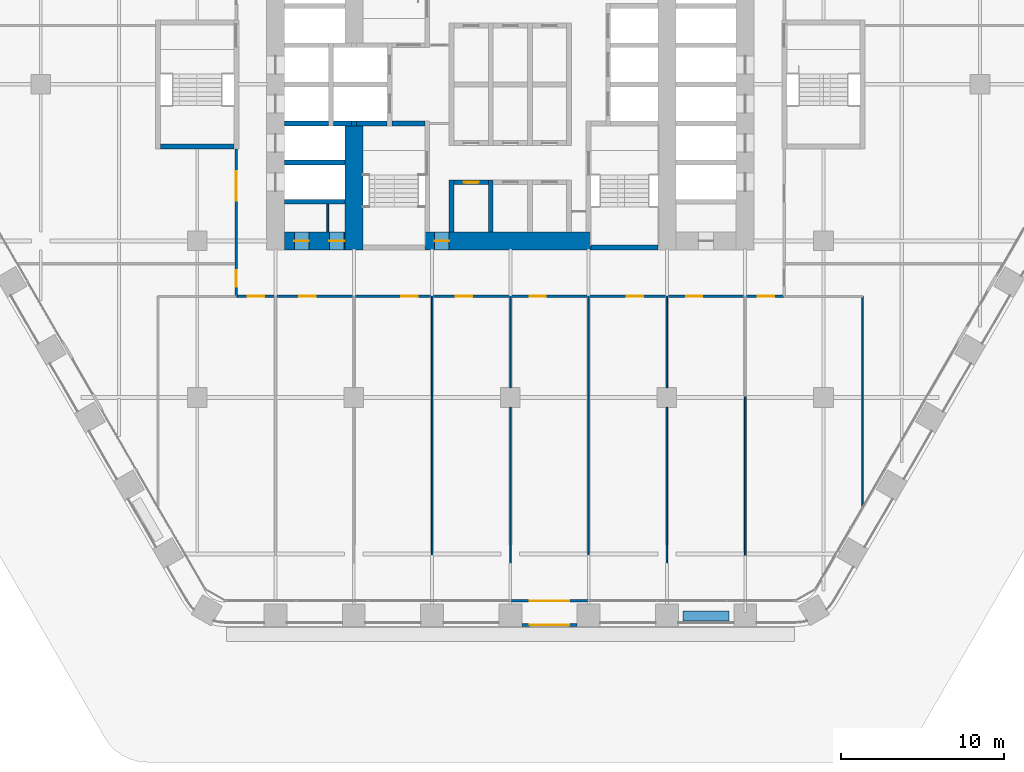
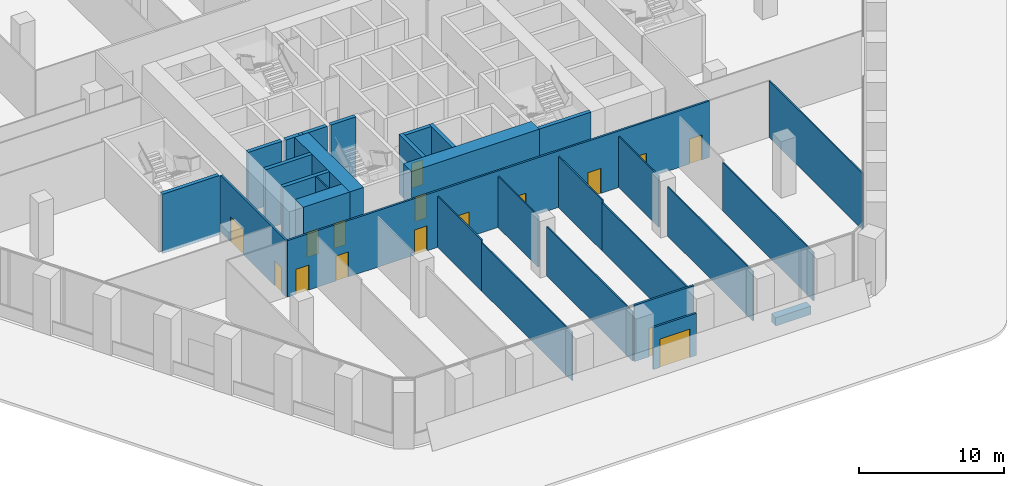
# One storey, part 19 of 29: 31 walls, 16 doors, 16 openings.
"""IFC4 building model written with IfcOpenShell, lengths in metres."""

from ifc_helpers import new_model, si_unit, direction, frame, frame_2d, origin, place, context, subcontext, project, spatial, rectangle, extrude, material, layer, layer_set, type_object, element, fill, save


model = new_model("IFC4")

# Units and contexts
model_context = context("Model", 3, precision=1e-05, world=origin(), true_north=direction((0.0, 1.0)))
body_context = subcontext(model_context, "Body", "Model", "MODEL_VIEW")
ifc_project = project(units=[si_unit("LENGTHUNIT", "METRE"), si_unit("AREAUNIT", "SQUARE_METRE"), si_unit("VOLUMEUNIT", "CUBIC_METRE"), si_unit("PLANEANGLEUNIT", "RADIAN"), si_unit("MASSUNIT", "GRAM", prefix="KILO")], contexts=[model_context])

# Site, building, storey
site_placement = place(None, origin())
site = spatial("IfcSite", under=ifc_project, at=site_placement, CompositionType="ELEMENT")
building_placement = place(site_placement, origin())
building = spatial("IfcBuilding", under=site, at=building_placement, Name="Kolab Exchange Tower", CompositionType="ELEMENT")
storey_placement = place(building_placement, frame((0.0, 0.0, 17.39990234375)))
storey = spatial("IfcBuildingStorey", under=building, at=storey_placement, Name="L03", CompositionType="ELEMENT", Elevation=17.39990234375)

# Wall, openings, doors
ifc_material_1 = material(Name="Concrete C80/95", Category="concrete")
ifc_layer_1 = layer(ifc_material_1, 1.10009765625)
ifc_layer_set_1 = layer_set([ifc_layer_1], Name="Concrete C80/95")
wall_type_1 = type_object("IfcWallType", Name="CORE WALL 1100 C80/95", PredefinedType="SHEAR", material=ifc_layer_set_1)
wall_1_placement = place(storey_placement, frame((-13.85009765625, -9.60009765625, -0.25), z_axis=(0.0, 0.0, 1.0), x_axis=(1.0, 0.0, 0.0)))
wall_1 = element("IfcWall", 1, at=wall_1_placement, inside=storey, type_object=wall_type_1, Name="wall/L03/core/002", PredefinedType="SHEAR", context=body_context, shape_type="SweptSolid", body=[
    extrude(rectangle(XDim=3.7001953125, YDim=1.10009765625, at=frame_2d((1.85009765625, 0.0))), origin(), (0.0, 0.0, 1.0), 5.0),
])
opening_1_placement = place(wall_1_placement, frame((0.60009765625, 0.0, 0.25)))
opening_1 = element("IfcOpeningElement", 2, at=opening_1_placement, cuts=wall_1, Name="Opening D6-080", PredefinedType="OPENING", context=body_context, shape_type="SweptSolid", body=[
    extrude(rectangle(XDim=0.89990234375, YDim=2.10009765625, at=frame_2d((0.449951171875, 1.050048828125))), frame((0.0, 0.56005859375, 0.0), z_axis=(0.0, -1.0, 0.0), x_axis=(1.0, 0.0, 0.0)), (0.0, 0.0, 1.0), 1.1201171875),
])
opening_2_placement = place(wall_1_placement, frame((2.75, 0.0, 0.25)))
opening_2 = element("IfcOpeningElement", 3, at=opening_2_placement, cuts=wall_1, Name="Opening D6-081", PredefinedType="OPENING", context=body_context, shape_type="SweptSolid", body=[
    extrude(rectangle(XDim=0.89990234375, YDim=2.10009765625, at=frame_2d((0.449951171875, 1.050048828125))), frame((0.0, 0.56005859375, 0.0), z_axis=(0.0, -1.0, 0.0), x_axis=(1.0, 0.0, 0.0)), (0.0, 0.0, 1.0), 1.1201171875),
])
ifc_material_2 = material(Name="Steel S235", Category="steel")
door_type_1 = type_object("IfcDoorType", Name="CORE DOOR 900 EI 120", OperationType="SINGLE_SWING_LEFT", PredefinedType="DOOR", material=ifc_material_2)
door_1_placement = place(opening_1_placement, origin())
door_1 = element("IfcDoor", 4, at=door_1_placement, inside=storey, type_object=door_type_1, Name="Service room door", OperationType="SINGLE_SWING_RIGHT", OverallHeight=2.10009765625, OverallWidth=0.89990234375, PredefinedType="DOOR", context=body_context, shape_type="SweptSolid", body=[
    extrude(rectangle(XDim=0.89990234375, YDim=2.10009765625, at=frame_2d((0.449951171875, 1.050048828125))), frame((0.0, 0.02490234375, 0.0), z_axis=(0.0, -1.0, 0.0), x_axis=(1.0, 0.0, 0.0)), (0.0, 0.0, 1.0), 0.050048828125),
])
fill(opening_1, door_1)
door_2_placement = place(opening_2_placement, origin())
door_2 = element("IfcDoor", 5, at=door_2_placement, inside=storey, type_object=door_type_1, Name="Service room door", OperationType="SINGLE_SWING_LEFT", OverallHeight=2.10009765625, OverallWidth=0.89990234375, PredefinedType="DOOR", context=body_context, shape_type="SweptSolid", body=[
    extrude(rectangle(XDim=0.89990234375, YDim=2.10009765625, at=frame_2d((0.449951171875, 1.050048828125))), frame((0.0, 0.02490234375, 0.0), z_axis=(0.0, -1.0, 0.0), x_axis=(1.0, 0.0, 0.0)), (0.0, 0.0, 1.0), 0.050048828125),
])
fill(opening_2, door_2)

# Wall, opening, door
wall_2_placement = place(storey_placement, frame((-5.25, -9.60009765625, -0.25), z_axis=(0.0, 0.0, 1.0), x_axis=(1.0, 0.0, 0.0)))
wall_2 = element("IfcWall", 6, at=wall_2_placement, inside=storey, type_object=wall_type_1, Name="wall/L03/core/003", PredefinedType="SHEAR", context=body_context, shape_type="SweptSolid", body=[
    extrude(rectangle(XDim=10.199951171875, YDim=1.10009765625, at=frame_2d((5.10009765625, 0.0))), origin(), (0.0, 0.0, 1.0), 5.0),
])
opening_3_placement = place(wall_2_placement, frame((0.60009765625, 0.0, 0.25)))
opening_3 = element("IfcOpeningElement", 7, at=opening_3_placement, cuts=wall_2, Name="Opening D6-076", PredefinedType="OPENING", context=body_context, shape_type="SweptSolid", body=[
    extrude(rectangle(XDim=0.89990234375, YDim=2.10009765625, at=frame_2d((0.449951171875, 1.050048828125))), frame((0.0, 0.56005859375, 0.0), z_axis=(0.0, -1.0, 0.0), x_axis=(1.0, 0.0, 0.0)), (0.0, 0.0, 1.0), 1.1201171875),
])
door_3_placement = place(opening_3_placement, origin())
door_3 = element("IfcDoor", 8, at=door_3_placement, inside=storey, type_object=door_type_1, Name="Core lobby door", OperationType="SINGLE_SWING_RIGHT", OverallHeight=2.10009765625, OverallWidth=0.89990234375, PredefinedType="DOOR", context=body_context, shape_type="SweptSolid", body=[
    extrude(rectangle(XDim=0.89990234375, YDim=2.10009765625, at=frame_2d((0.449951171875, 1.050048828125))), frame((0.0, 0.02490234375, 0.0), z_axis=(0.0, -1.0, 0.0), x_axis=(1.0, 0.0, 0.0)), (0.0, 0.0, 1.0), 0.050048828125),
])
fill(opening_3, door_3)

# Wall
wall_3_placement = place(storey_placement, frame((-9.60009765625, -10.14990234375, -0.25), z_axis=(0.0, 0.0, 1.0), x_axis=(0.0, 1.0, 0.0)))
element("IfcWall", 9, at=wall_3_placement, inside=storey, type_object=wall_type_1, Name="wall/L03/core/059", PredefinedType="SHEAR", context=body_context, shape_type="SweptSolid", body=[
    extrude(rectangle(XDim=7.599853515625, YDim=1.10009765625, at=frame_2d((3.7998046875, 0.0))), origin(), (0.0, 0.0, 1.0), 5.0),
])

# Wall, opening, door
ifc_material_3 = material(Name="Aluminium EN AW-6063 T6", Category="aluminium")
ifc_layer_2 = layer(ifc_material_3, 0.159912109375)
ifc_layer_set_2 = layer_set([ifc_layer_2], Name="Aluminium EN AW-6063 T6")
wall_type_2 = type_object("IfcWallType", Name="DOOR SURROUND WALL 160 ALUMINIUM FRAMED", PredefinedType="PARTITIONING", material=ifc_layer_set_2)
wall_4_placement = place(storey_placement, frame((4.77001953125, -31.67529296875, 0.0), z_axis=(0.0, 0.0, 1.0), x_axis=(-1.0, 0.0, 0.0)))
wall_4 = element("IfcWall", 10, at=wall_4_placement, inside=storey, type_object=wall_type_2, Name="Door surround wall", PredefinedType="PARTITIONING", context=body_context, shape_type="SweptSolid", body=[
    extrude(rectangle(XDim=4.739990234375, YDim=0.159912109375, at=frame_2d((2.3701171875, 0.0))), origin(), (0.0, 0.0, 1.0), 4.75),
])
opening_4_placement = place(wall_4_placement, frame((1.169921875, 0.0, 0.0)))
opening_4 = element("IfcOpeningElement", 11, at=opening_4_placement, cuts=wall_4, Name="Opening GD1-012", PredefinedType="OPENING", context=body_context, shape_type="SweptSolid", body=[
    extrude(rectangle(XDim=2.39990234375, YDim=2.39990234375, at=frame_2d((1.199951171875, 1.199951171875))), frame((0.0, 0.08984375, 0.0), z_axis=(0.0, -1.0, 0.0), x_axis=(1.0, 0.0, 0.0)), (0.0, 0.0, 1.0), 0.179931640625),
])
door_type_2 = type_object("IfcDoorType", Name="LOGGIA SLIDING GLASS DOOR 2400 X 2400", OperationType="DOUBLE_DOOR_SINGLE_SWING", PredefinedType="DOOR", material=ifc_material_3)
door_4_placement = place(opening_4_placement, origin())
door_4 = element("IfcDoor", 12, at=door_4_placement, inside=storey, type_object=door_type_2, Name="Loggia door", OperationType="DOUBLE_DOOR_SLIDING", OverallHeight=2.39990234375, OverallWidth=2.39990234375, PredefinedType="DOOR", context=body_context, shape_type="SweptSolid", body=[
    extrude(rectangle(XDim=2.39990234375, YDim=2.39990234375, at=frame_2d((1.199951171875, 1.199951171875))), frame((0.0, 0.02490234375, 0.0), z_axis=(0.0, -1.0, 0.0), x_axis=(1.0, 0.0, 0.0)), (0.0, 0.0, 1.0), 0.050048828125),
])
fill(opening_4, door_4)

wall_5_placement = place(storey_placement, frame((4.097900390625, -33.1552734375, 0.0), z_axis=(0.0, 0.0, 1.0), x_axis=(-1.0, 0.0, 0.0)))
wall_5 = element("IfcWall", 13, at=wall_5_placement, inside=storey, type_object=wall_type_2, Name="Door surround wall", PredefinedType="PARTITIONING", context=body_context, shape_type="SweptSolid", body=[
    extrude(rectangle(XDim=3.39599609375, YDim=0.159912109375, at=frame_2d((1.697998046875, 0.0))), origin(), (0.0, 0.0, 1.0), 3.550048828125),
])
opening_5_placement = place(wall_5_placement, frame((0.498046875, 0.0, 0.0)))
opening_5 = element("IfcOpeningElement", 14, at=opening_5_placement, cuts=wall_5, Name="Opening GD1-016", PredefinedType="OPENING", context=body_context, shape_type="SweptSolid", body=[
    extrude(rectangle(XDim=2.39990234375, YDim=2.39990234375, at=frame_2d((1.199951171875, 1.199951171875))), frame((0.0, 0.08984375, 0.0), z_axis=(0.0, -1.0, 0.0), x_axis=(1.0, 0.0, 0.0)), (0.0, 0.0, 1.0), 0.179931640625),
])
door_5_placement = place(opening_5_placement, origin())
door_5 = element("IfcDoor", 15, at=door_5_placement, inside=storey, type_object=door_type_2, Name="Terrace door", OperationType="DOUBLE_DOOR_SLIDING", OverallHeight=2.39990234375, OverallWidth=2.39990234375, PredefinedType="DOOR", context=body_context, shape_type="SweptSolid", body=[
    extrude(rectangle(XDim=2.39990234375, YDim=2.39990234375, at=frame_2d((1.199951171875, 1.199951171875))), frame((0.0, 0.02490234375, 0.0), z_axis=(0.0, -1.0, 0.0), x_axis=(1.0, 0.0, 0.0)), (0.0, 0.0, 1.0), 0.050048828125),
])
fill(opening_5, door_5)

# Wall
ifc_material_4 = material(Name="Concrete C50/60", Category="concrete")
ifc_layer_3 = layer(ifc_material_4, 0.300048828125)
ifc_layer_set_3 = layer_set([ifc_layer_3], Name="Concrete C50/60")
wall_type_3 = type_object("IfcWallType", Name="LIFT SHAFT WALL 300 C50/60", PredefinedType="STANDARD", material=ifc_layer_set_3)
wall_6_placement = place(storey_placement, frame((-13.85009765625, -7.199951171875, -0.25), z_axis=(0.0, 0.0, 1.0), x_axis=(1.0, 0.0, 0.0)))
element("IfcWall", 16, at=wall_6_placement, inside=storey, type_object=wall_type_3, Name="wall/L03/core/005", PredefinedType="STANDARD", context=body_context, shape_type="SweptSolid", body=[
    extrude(rectangle(XDim=3.7001953125, YDim=0.300048828125, at=frame_2d((1.85009765625, 0.0))), origin(), (0.0, 0.0, 1.0), 5.0),
])

# Wall, opening, door
wall_7_placement = place(storey_placement, frame((-3.449951171875, -6.0, -0.25), z_axis=(0.0, 0.0, 1.0), x_axis=(1.0, 0.0, 0.0)))
wall_7 = element("IfcWall", 17, at=wall_7_placement, inside=storey, type_object=wall_type_3, Name="wall/L03/core/007", PredefinedType="STANDARD", context=body_context, shape_type="SweptSolid", body=[
    extrude(rectangle(XDim=2.099853515625, YDim=0.300048828125, at=frame_2d((1.0498046875, 0.0))), origin(), (0.0, 0.0, 1.0), 5.0),
])
opening_6_placement = place(wall_7_placement, frame((0.60009765625, 0.0, 0.25)))
opening_6 = element("IfcOpeningElement", 18, at=opening_6_placement, cuts=wall_7, Name="Opening D6-075", PredefinedType="OPENING", context=body_context, shape_type="SweptSolid", body=[
    extrude(rectangle(XDim=0.89990234375, YDim=2.10009765625, at=frame_2d((0.449951171875, 1.050048828125))), frame((0.0, 0.16015625, 0.0), z_axis=(0.0, -1.0, 0.0), x_axis=(1.0, 0.0, 0.0)), (0.0, 0.0, 1.0), 0.320068359375),
])
door_6_placement = place(opening_6_placement, frame((0.89990234375, 0.0, 0.0), z_axis=(0.0, 0.0, 1.0), x_axis=(-1.0, 0.0, 0.0)))
door_6 = element("IfcDoor", 19, at=door_6_placement, inside=storey, type_object=door_type_1, Name="Service room door", OperationType="SINGLE_SWING_LEFT", OverallHeight=2.10009765625, OverallWidth=0.89990234375, PredefinedType="DOOR", context=body_context, shape_type="SweptSolid", body=[
    extrude(rectangle(XDim=0.89990234375, YDim=2.10009765625, at=frame_2d((0.449951171875, 1.050048828125))), frame((0.0, 0.02490234375, 0.0), z_axis=(0.0, -1.0, 0.0), x_axis=(1.0, 0.0, 0.0)), (0.0, 0.0, 1.0), 0.050048828125),
])
fill(opening_6, door_6)

# Walls
wall_8_placement = place(storey_placement, frame((-13.85009765625, -4.800048828125, -0.25), z_axis=(0.0, 0.0, 1.0), x_axis=(1.0, 0.0, 0.0)))
element("IfcWall", 20, at=wall_8_placement, inside=storey, type_object=wall_type_3, Name="wall/L03/core/010", PredefinedType="STANDARD", context=body_context, shape_type="SweptSolid", body=[
    extrude(rectangle(XDim=3.7001953125, YDim=0.300048828125, at=frame_2d((1.85009765625, 0.0))), origin(), (0.0, 0.0, 1.0), 5.0),
])
wall_9_placement = place(storey_placement, frame((-13.85009765625, -2.39990234375, -0.25), z_axis=(0.0, 0.0, 1.0), x_axis=(1.0, 0.0, 0.0)))
element("IfcWall", 21, at=wall_9_placement, inside=storey, type_object=wall_type_3, Name="wall/L03/core/017", PredefinedType="STANDARD", context=body_context, shape_type="SweptSolid", body=[
    extrude(rectangle(XDim=2.7001953125, YDim=0.300048828125, at=frame_2d((1.35009765625, 0.0))), origin(), (0.0, 0.0, 1.0), 5.0),
])
wall_10_placement = place(storey_placement, frame((-10.85009765625, -2.39990234375, -0.25), z_axis=(0.0, 0.0, 1.0), x_axis=(1.0, 0.0, 0.0)))
element("IfcWall", 22, at=wall_10_placement, inside=storey, type_object=wall_type_3, Name="wall/L03/core/018", PredefinedType="STANDARD", context=body_context, shape_type="SweptSolid", body=[
    extrude(rectangle(XDim=1.10009765625, YDim=0.300048828125, at=frame_2d((0.550048828125, 0.0))), origin(), (0.0, 0.0, 1.0), 5.0),
])
for number, where, z_axis, x_axis, name in (
    (23, (-3.60009765625, -9.050048828125, -0.25), (0.0, 0.0, 1.0), (0.0, 1.0, 0.0), "wall/L03/core/066"),
    (24, (-1.199951171875, -9.050048828125, -0.25), (0.0, 0.0, 1.0), (0.0, 1.0, 0.0), "wall/L03/core/069"),
):
    element("IfcWall", number, at=place(storey_placement, frame(where, z_axis=z_axis, x_axis=x_axis)), inside=storey, type_object=wall_type_3, Name=name, PredefinedType="STANDARD", context=body_context, shape_type="SweptSolid", body=[
        extrude(rectangle(XDim=3.199951171875, YDim=0.300048828125, at=frame_2d((1.60009765625, 0.0))), origin(), (0.0, 0.0, 1.0), 5.0),
    ])
ifc_material_5 = material(Name="Gypsum board", Category="gypsum")
ifc_layer_4 = layer(ifc_material_5, 0.10009765625)
ifc_layer_set_4 = layer_set([ifc_layer_4], Name="Gypsum board")
wall_type_4 = type_object("IfcWallType", Name="PARTITION 100", PredefinedType="PARTITIONING", material=ifc_layer_set_4)
wall_11_placement = place(storey_placement, frame((21.60009765625, -25.8583984375, 0.0), z_axis=(0.0, 0.0, 1.0), x_axis=(0.0, 1.0, 0.0)))
element("IfcWall", 25, at=wall_11_placement, inside=storey, type_object=wall_type_4, Name="Partition 000", PredefinedType="PARTITIONING", context=body_context, shape_type="SweptSolid", body=[
    extrude(rectangle(XDim=12.8583984375, YDim=0.10009765625, at=frame_2d((6.42919921875, 0.0))), origin(), (0.0, 0.0, 1.0), 4.75),
])
wall_12_placement = place(storey_placement, frame((14.39990234375, -31.58544921875, 0.0), z_axis=(0.0, 0.0, 1.0), x_axis=(0.0, 1.0, 0.0)))
element("IfcWall", 26, at=wall_12_placement, inside=storey, type_object=wall_type_4, Name="Partition 004", PredefinedType="PARTITIONING", context=body_context, shape_type="SweptSolid", body=[
    extrude(rectangle(XDim=12.472412109375, YDim=0.10009765625, at=frame_2d((6.236328125, 0.0))), origin(), (0.0, 0.0, 1.0), 4.066162109375),
])
wall_13_placement = place(storey_placement, frame((9.60009765625, -31.58544921875, 0.0), z_axis=(0.0, 0.0, 1.0), x_axis=(0.0, 1.0, 0.0)))
element("IfcWall", 27, at=wall_13_placement, inside=storey, type_object=wall_type_4, Name="Partition 007", PredefinedType="PARTITIONING", context=body_context, shape_type="SweptSolid", body=[
    extrude(rectangle(XDim=11.785400390625, YDim=0.10009765625, at=frame_2d((5.892578125, 0.0))), origin(), (0.0, 0.0, 1.0), 4.14208984375),
])
wall_14_placement = place(storey_placement, frame((9.60009765625, -18.60009765625, 0.0), z_axis=(0.0, 0.0, 1.0), x_axis=(0.0, 1.0, 0.0)))
element("IfcWall", 28, at=wall_14_placement, inside=storey, type_object=wall_type_4, Name="Partition 008", PredefinedType="PARTITIONING", context=body_context, shape_type="SweptSolid", body=[
    extrude(rectangle(XDim=5.60009765625, YDim=0.10009765625, at=frame_2d((2.800048828125, 0.0))), origin(), (0.0, 0.0, 1.0), 4.293212890625),
])
wall_15_placement = place(storey_placement, frame((4.800048828125, -31.595458984375, 0.0), z_axis=(0.0, 0.0, 1.0), x_axis=(0.0, 1.0, 0.0)))
element("IfcWall", 29, at=wall_15_placement, inside=storey, type_object=wall_type_4, Name="Partition 013", PredefinedType="PARTITIONING", context=body_context, shape_type="SweptSolid", body=[
    extrude(rectangle(XDim=12.482421875, YDim=0.10009765625, at=frame_2d((6.2412109375, 0.0))), origin(), (0.0, 0.0, 1.0), 4.066162109375),
])
wall_16_placement = place(storey_placement, frame((4.800048828125, -19.113037109375, 0.0), z_axis=(0.0, 0.0, 1.0), x_axis=(0.0, 1.0, 0.0)))
element("IfcWall", 30, at=wall_16_placement, inside=storey, type_object=wall_type_4, Name="Partition 013", PredefinedType="PARTITIONING", context=body_context, shape_type="SweptSolid", body=[
    extrude(rectangle(XDim=6.113037109375, YDim=0.10009765625, at=frame_2d((3.056640625, 0.0))), origin(), (0.0, 0.0, 1.0), 4.293212890625),
])
wall_17_placement = place(storey_placement, frame((0.0, -31.595458984375, 0.0), z_axis=(0.0, 0.0, 1.0), x_axis=(0.0, 1.0, 0.0)))
element("IfcWall", 31, at=wall_17_placement, inside=storey, type_object=wall_type_4, Name="Partition 015", PredefinedType="PARTITIONING", context=body_context, shape_type="SweptSolid", body=[
    extrude(rectangle(XDim=11.79541015625, YDim=0.10009765625, at=frame_2d((5.897705078125, 0.0))), origin(), (0.0, 0.0, 1.0), 4.14208984375),
])
wall_18_placement = place(storey_placement, frame((0.0, -18.60009765625, 0.0), z_axis=(0.0, 0.0, 1.0), x_axis=(0.0, 1.0, 0.0)))
element("IfcWall", 32, at=wall_18_placement, inside=storey, type_object=wall_type_4, Name="Partition 016", PredefinedType="PARTITIONING", context=body_context, shape_type="SweptSolid", body=[
    extrude(rectangle(XDim=5.60009765625, YDim=0.10009765625, at=frame_2d((2.800048828125, 0.0))), origin(), (0.0, 0.0, 1.0), 4.293212890625),
])
wall_19_placement = place(storey_placement, frame((-4.800048828125, -31.58544921875, 0.0), z_axis=(0.0, 0.0, 1.0), x_axis=(0.0, 1.0, 0.0)))
element("IfcWall", 33, at=wall_19_placement, inside=storey, type_object=wall_type_4, Name="Partition 019", PredefinedType="PARTITIONING", context=body_context, shape_type="SweptSolid", body=[
    extrude(rectangle(XDim=12.472412109375, YDim=0.10009765625, at=frame_2d((6.236328125, 0.0))), origin(), (0.0, 0.0, 1.0), 4.066162109375),
])
wall_20_placement = place(storey_placement, frame((-4.800048828125, -19.113037109375, 0.0), z_axis=(0.0, 0.0, 1.0), x_axis=(0.0, 1.0, 0.0)))
element("IfcWall", 34, at=wall_20_placement, inside=storey, type_object=wall_type_4, Name="Partition 019", PredefinedType="PARTITIONING", context=body_context, shape_type="SweptSolid", body=[
    extrude(rectangle(XDim=6.113037109375, YDim=0.10009765625, at=frame_2d((3.056640625, 0.0))), origin(), (0.0, 0.0, 1.0), 4.293212890625),
])
wall_21_placement = place(storey_placement, frame((-11.199951171875, -9.050048828125, 0.0), z_axis=(0.0, 0.0, 1.0), x_axis=(0.0, 1.0, 0.0)))
element("IfcWall", 35, at=wall_21_placement, inside=storey, type_object=wall_type_4, Name="Partition 026", PredefinedType="PARTITIONING", context=body_context, shape_type="SweptSolid", body=[
    extrude(rectangle(XDim=1.699951171875, YDim=0.10009765625, at=frame_2d((0.85009765625, 0.0))), origin(), (0.0, 0.0, 1.0), 4.75),
])

# Wall, openings, doors
ifc_layer_5 = layer(ifc_material_5, 0.14990234375)
ifc_layer_set_5 = layer_set([ifc_layer_5], Name="Gypsum board")
wall_type_5 = type_object("IfcWallType", Name="PARTITION 150 FIRE-RATED", PredefinedType="PARTITIONING", material=ifc_layer_set_5)
wall_22_placement = place(storey_placement, frame((-16.800048828125, -13.0, 0.0), z_axis=(0.0, 0.0, 1.0), x_axis=(0.0, 1.0, 0.0)))
wall_22 = element("IfcWall", 36, at=wall_22_placement, inside=storey, type_object=wall_type_5, Name="Partition 030", PredefinedType="PARTITIONING", context=body_context, shape_type="SweptSolid", body=[
    extrude(rectangle(XDim=9.050048828125, YDim=0.14990234375, at=frame_2d((4.52490234375, 0.0))), origin(), (0.0, 0.0, 1.0), 4.75),
])
opening_7_placement = place(wall_22_placement, frame((0.60009765625, 0.0, 0.0)))
opening_7 = element("IfcOpeningElement", 37, at=opening_7_placement, cuts=wall_22, Name="Opening D1-062", PredefinedType="OPENING", context=body_context, shape_type="SweptSolid", body=[
    extrude(rectangle(XDim=1.0, YDim=2.10009765625, at=frame_2d((0.5, 1.050048828125))), frame((0.0, 0.0849609375, 0.0), z_axis=(0.0, -1.0, 0.0), x_axis=(1.0, 0.0, 0.0)), (0.0, 0.0, 1.0), 0.169921875),
])
opening_8_placement = place(wall_22_placement, frame((5.864990234375, 0.0, 0.0)))
opening_8 = element("IfcOpeningElement", 38, at=opening_8_placement, cuts=wall_22, Name="Opening D2-008", PredefinedType="OPENING", context=body_context, shape_type="SweptSolid", body=[
    extrude(rectangle(XDim=1.800048828125, YDim=2.10009765625, at=frame_2d((0.89990234375, 1.050048828125))), frame((0.0, 0.0849609375, 0.0), z_axis=(0.0, -1.0, 0.0), x_axis=(1.0, 0.0, 0.0)), (0.0, 0.0, 1.0), 0.169921875),
])
door_type_3 = type_object("IfcDoorType", Name="DOUBLE DOOR 1800 FD60", OperationType="DOUBLE_DOOR_SINGLE_SWING", PredefinedType="DOOR", material=ifc_material_2)
door_7_placement = place(opening_8_placement, origin())
door_7 = element("IfcDoor", 39, at=door_7_placement, inside=storey, type_object=door_type_3, Name="Door L03-068", OperationType="SINGLE_SWING_RIGHT", OverallHeight=2.10009765625, OverallWidth=1.800048828125, PredefinedType="DOOR", context=body_context, shape_type="SweptSolid", body=[
    extrude(rectangle(XDim=1.800048828125, YDim=2.10009765625, at=frame_2d((0.89990234375, 1.050048828125))), frame((0.0, 0.02490234375, 0.0), z_axis=(0.0, -1.0, 0.0), x_axis=(1.0, 0.0, 0.0)), (0.0, 0.0, 1.0), 0.050048828125),
])
fill(opening_8, door_7)
door_type_4 = type_object("IfcDoorType", Name="FLUSH DOOR 1000 FD60", OperationType="SINGLE_SWING_LEFT", PredefinedType="DOOR", material=ifc_material_2)
door_8_placement = place(opening_7_placement, origin())
door_8 = element("IfcDoor", 40, at=door_8_placement, inside=storey, type_object=door_type_4, Name="Door L03-067", OperationType="SINGLE_SWING_RIGHT", OverallHeight=2.10009765625, OverallWidth=1.0, PredefinedType="DOOR", context=body_context, shape_type="SweptSolid", body=[
    extrude(rectangle(XDim=1.0, YDim=2.10009765625, at=frame_2d((0.5, 1.050048828125))), frame((0.0, 0.02490234375, 0.0), z_axis=(0.0, -1.0, 0.0), x_axis=(1.0, 0.0, 0.0)), (0.0, 0.0, 1.0), 0.050048828125),
])
fill(opening_7, door_8)

wall_23_placement = place(storey_placement, frame((-16.800048828125, -13.0, 0.0), z_axis=(0.0, 0.0, 1.0), x_axis=(1.0, 0.0, 0.0)))
wall_23 = element("IfcWall", 41, at=wall_23_placement, inside=storey, type_object=wall_type_5, Name="Partition 036", PredefinedType="PARTITIONING", context=body_context, shape_type="SweptSolid", body=[
    extrude(rectangle(XDim=33.60009765625, YDim=0.14990234375, at=frame_2d((16.800048828125, 0.0))), origin(), (0.0, 0.0, 1.0), 4.75),
])
opening_9_placement = place(wall_23_placement, frame((0.699951171875, 0.0, 0.0)))
opening_9 = element("IfcOpeningElement", 42, at=opening_9_placement, cuts=wall_23, Name="Opening D1-050", PredefinedType="OPENING", context=body_context, shape_type="SweptSolid", body=[
    extrude(rectangle(XDim=1.0, YDim=2.10009765625, at=frame_2d((0.5, 1.050048828125))), frame((0.0, 0.0849609375, 0.0), z_axis=(0.0, -1.0, 0.0), x_axis=(1.0, 0.0, 0.0)), (0.0, 0.0, 1.0), 0.169921875),
])
opening_10_placement = place(wall_23_placement, frame((3.864990234375, 0.0, 0.0)))
opening_10 = element("IfcOpeningElement", 43, at=opening_10_placement, cuts=wall_23, Name="Opening D1-051", PredefinedType="OPENING", context=body_context, shape_type="SweptSolid", body=[
    extrude(rectangle(XDim=1.0, YDim=2.10009765625, at=frame_2d((0.5, 1.050048828125))), frame((0.0, 0.0849609375, 0.0), z_axis=(0.0, -1.0, 0.0), x_axis=(1.0, 0.0, 0.0)), (0.0, 0.0, 1.0), 0.169921875),
])
opening_11_placement = place(wall_23_placement, frame((10.114990234375, 0.0, 0.0)))
opening_11 = element("IfcOpeningElement", 44, at=opening_11_placement, cuts=wall_23, Name="Opening D1-052", PredefinedType="OPENING", context=body_context, shape_type="SweptSolid", body=[
    extrude(rectangle(XDim=1.0, YDim=2.10009765625, at=frame_2d((0.5, 1.050048828125))), frame((0.0, 0.0849609375, 0.0), z_axis=(0.0, -1.0, 0.0), x_axis=(1.0, 0.0, 0.0)), (0.0, 0.0, 1.0), 0.169921875),
])
opening_12_placement = place(wall_23_placement, frame((13.465087890625, 0.0, 0.0)))
opening_12 = element("IfcOpeningElement", 45, at=opening_12_placement, cuts=wall_23, Name="Opening D1-053", PredefinedType="OPENING", context=body_context, shape_type="SweptSolid", body=[
    extrude(rectangle(XDim=1.0, YDim=2.10009765625, at=frame_2d((0.5, 1.050048828125))), frame((0.0, 0.0849609375, 0.0), z_axis=(0.0, -1.0, 0.0), x_axis=(1.0, 0.0, 0.0)), (0.0, 0.0, 1.0), 0.169921875),
])
opening_13_placement = place(wall_23_placement, frame((17.97509765625, 0.0, 0.0)))
opening_13 = element("IfcOpeningElement", 46, at=opening_13_placement, cuts=wall_23, Name="Opening D1-054", PredefinedType="OPENING", context=body_context, shape_type="SweptSolid", body=[
    extrude(rectangle(XDim=1.0, YDim=2.10009765625, at=frame_2d((0.5, 1.050048828125))), frame((0.0, 0.0849609375, 0.0), z_axis=(0.0, -1.0, 0.0), x_axis=(1.0, 0.0, 0.0)), (0.0, 0.0, 1.0), 0.169921875),
])
opening_14_placement = place(wall_23_placement, frame((23.93505859375, 0.0, 0.0)))
opening_14 = element("IfcOpeningElement", 47, at=opening_14_placement, cuts=wall_23, Name="Opening D1-055", PredefinedType="OPENING", context=body_context, shape_type="SweptSolid", body=[
    extrude(rectangle(XDim=1.0, YDim=2.10009765625, at=frame_2d((0.5, 1.050048828125))), frame((0.0, 0.0849609375, 0.0), z_axis=(0.0, -1.0, 0.0), x_axis=(1.0, 0.0, 0.0)), (0.0, 0.0, 1.0), 0.169921875),
])
opening_15_placement = place(wall_23_placement, frame((27.574951171875, 0.0, 0.0)))
opening_15 = element("IfcOpeningElement", 48, at=opening_15_placement, cuts=wall_23, Name="Opening D1-056", PredefinedType="OPENING", context=body_context, shape_type="SweptSolid", body=[
    extrude(rectangle(XDim=1.0, YDim=2.10009765625, at=frame_2d((0.5, 1.050048828125))), frame((0.0, 0.0849609375, 0.0), z_axis=(0.0, -1.0, 0.0), x_axis=(1.0, 0.0, 0.0)), (0.0, 0.0, 1.0), 0.169921875),
])
opening_16_placement = place(wall_23_placement, frame((31.97509765625, 0.0, 0.0)))
opening_16 = element("IfcOpeningElement", 49, at=opening_16_placement, cuts=wall_23, Name="Opening D1-057", PredefinedType="OPENING", context=body_context, shape_type="SweptSolid", body=[
    extrude(rectangle(XDim=1.0, YDim=2.10009765625, at=frame_2d((0.5, 1.050048828125))), frame((0.0, 0.0849609375, 0.0), z_axis=(0.0, -1.0, 0.0), x_axis=(1.0, 0.0, 0.0)), (0.0, 0.0, 1.0), 0.169921875),
])
door_9_placement = place(opening_9_placement, frame((1.0, 0.0, 0.0), z_axis=(0.0, 0.0, 1.0), x_axis=(-1.0, 0.0, 0.0)))
door_9 = element("IfcDoor", 50, at=door_9_placement, inside=storey, type_object=door_type_4, Name="Door L03-055", OperationType="SINGLE_SWING_RIGHT", OverallHeight=2.10009765625, OverallWidth=1.0, PredefinedType="DOOR", context=body_context, shape_type="SweptSolid", body=[
    extrude(rectangle(XDim=1.0, YDim=2.10009765625, at=frame_2d((0.5, 1.050048828125))), frame((0.0, 0.02490234375, 0.0), z_axis=(0.0, -1.0, 0.0), x_axis=(1.0, 0.0, 0.0)), (0.0, 0.0, 1.0), 0.050048828125),
])
fill(opening_9, door_9)
door_10_placement = place(opening_10_placement, frame((1.0, 0.0, 0.0), z_axis=(0.0, 0.0, 1.0), x_axis=(-1.0, 0.0, 0.0)))
door_10 = element("IfcDoor", 51, at=door_10_placement, inside=storey, type_object=door_type_4, Name="Door L03-056", OperationType="SINGLE_SWING_LEFT", OverallHeight=2.10009765625, OverallWidth=1.0, PredefinedType="DOOR", context=body_context, shape_type="SweptSolid", body=[
    extrude(rectangle(XDim=1.0, YDim=2.10009765625, at=frame_2d((0.5, 1.050048828125))), frame((0.0, 0.02490234375, 0.0), z_axis=(0.0, -1.0, 0.0), x_axis=(1.0, 0.0, 0.0)), (0.0, 0.0, 1.0), 0.050048828125),
])
fill(opening_10, door_10)
door_11_placement = place(opening_11_placement, frame((1.0, 0.0, 0.0), z_axis=(0.0, 0.0, 1.0), x_axis=(-1.0, 0.0, 0.0)))
door_11 = element("IfcDoor", 52, at=door_11_placement, inside=storey, type_object=door_type_4, Name="Door L03-057", OperationType="SINGLE_SWING_RIGHT", OverallHeight=2.10009765625, OverallWidth=1.0, PredefinedType="DOOR", context=body_context, shape_type="SweptSolid", body=[
    extrude(rectangle(XDim=1.0, YDim=2.10009765625, at=frame_2d((0.5, 1.050048828125))), frame((0.0, 0.02490234375, 0.0), z_axis=(0.0, -1.0, 0.0), x_axis=(1.0, 0.0, 0.0)), (0.0, 0.0, 1.0), 0.050048828125),
])
fill(opening_11, door_11)
door_12_placement = place(opening_12_placement, frame((1.0, 0.0, 0.0), z_axis=(0.0, 0.0, 1.0), x_axis=(-1.0, 0.0, 0.0)))
door_12 = element("IfcDoor", 53, at=door_12_placement, inside=storey, type_object=door_type_4, Name="Door L03-058", OperationType="SINGLE_SWING_LEFT", OverallHeight=2.10009765625, OverallWidth=1.0, PredefinedType="DOOR", context=body_context, shape_type="SweptSolid", body=[
    extrude(rectangle(XDim=1.0, YDim=2.10009765625, at=frame_2d((0.5, 1.050048828125))), frame((0.0, 0.02490234375, 0.0), z_axis=(0.0, -1.0, 0.0), x_axis=(1.0, 0.0, 0.0)), (0.0, 0.0, 1.0), 0.050048828125),
])
fill(opening_12, door_12)
door_13_placement = place(opening_13_placement, frame((1.0, 0.0, 0.0), z_axis=(0.0, 0.0, 1.0), x_axis=(-1.0, 0.0, 0.0)))
door_13 = element("IfcDoor", 54, at=door_13_placement, inside=storey, type_object=door_type_4, Name="Door L03-059", OperationType="SINGLE_SWING_LEFT", OverallHeight=2.10009765625, OverallWidth=1.0, PredefinedType="DOOR", context=body_context, shape_type="SweptSolid", body=[
    extrude(rectangle(XDim=1.0, YDim=2.10009765625, at=frame_2d((0.5, 1.050048828125))), frame((0.0, 0.02490234375, 0.0), z_axis=(0.0, -1.0, 0.0), x_axis=(1.0, 0.0, 0.0)), (0.0, 0.0, 1.0), 0.050048828125),
])
fill(opening_13, door_13)
door_14_placement = place(opening_14_placement, frame((1.0, 0.0, 0.0), z_axis=(0.0, 0.0, 1.0), x_axis=(-1.0, 0.0, 0.0)))
door_14 = element("IfcDoor", 55, at=door_14_placement, inside=storey, type_object=door_type_4, Name="Door L03-060", OperationType="SINGLE_SWING_RIGHT", OverallHeight=2.10009765625, OverallWidth=1.0, PredefinedType="DOOR", context=body_context, shape_type="SweptSolid", body=[
    extrude(rectangle(XDim=1.0, YDim=2.10009765625, at=frame_2d((0.5, 1.050048828125))), frame((0.0, 0.02490234375, 0.0), z_axis=(0.0, -1.0, 0.0), x_axis=(1.0, 0.0, 0.0)), (0.0, 0.0, 1.0), 0.050048828125),
])
fill(opening_14, door_14)
door_15_placement = place(opening_15_placement, frame((1.0, 0.0, 0.0), z_axis=(0.0, 0.0, 1.0), x_axis=(-1.0, 0.0, 0.0)))
door_15 = element("IfcDoor", 56, at=door_15_placement, inside=storey, type_object=door_type_4, Name="Door L03-061", OperationType="SINGLE_SWING_LEFT", OverallHeight=2.10009765625, OverallWidth=1.0, PredefinedType="DOOR", context=body_context, shape_type="SweptSolid", body=[
    extrude(rectangle(XDim=1.0, YDim=2.10009765625, at=frame_2d((0.5, 1.050048828125))), frame((0.0, 0.02490234375, 0.0), z_axis=(0.0, -1.0, 0.0), x_axis=(1.0, 0.0, 0.0)), (0.0, 0.0, 1.0), 0.050048828125),
])
fill(opening_15, door_15)
door_16_placement = place(opening_16_placement, frame((1.0, 0.0, 0.0), z_axis=(0.0, 0.0, 1.0), x_axis=(-1.0, 0.0, 0.0)))
door_16 = element("IfcDoor", 57, at=door_16_placement, inside=storey, type_object=door_type_4, Name="Door L03-062", OperationType="SINGLE_SWING_LEFT", OverallHeight=2.10009765625, OverallWidth=1.0, PredefinedType="DOOR", context=body_context, shape_type="SweptSolid", body=[
    extrude(rectangle(XDim=1.0, YDim=2.10009765625, at=frame_2d((0.5, 1.050048828125))), frame((0.0, 0.02490234375, 0.0), z_axis=(0.0, -1.0, 0.0), x_axis=(1.0, 0.0, 0.0)), (0.0, 0.0, 1.0), 0.050048828125),
])
fill(opening_16, door_16)

# Walls
ifc_material_6 = material(Name="Granite facing", Category="masonry")
ifc_layer_6 = layer(ifc_material_6, 0.0400390625)
ifc_material_7 = material(Name="Concrete C40/50 precast", Category="concrete")
ifc_layer_7 = layer(ifc_material_7, 0.56005859375)
ifc_layer_set_6 = layer_set([ifc_layer_6, ifc_layer_7], Name="Concrete C40/50 precast")
wall_type_6 = type_object("IfcWallType", Name="PLANTER BOX 600 X 700 SOIL DEPTH 550", PredefinedType="USERDEFINED", material=ifc_layer_set_6)
wall_24_placement = place(storey_placement, frame((13.39990234375, -32.60546875, 0.0), z_axis=(0.0, 0.0, 1.0), x_axis=(-1.0, 0.0, 0.0)))
element("IfcWall", 58, at=wall_24_placement, inside=storey, type_object=wall_type_6, Name="Planter", ObjectType="PLANTER", PredefinedType="USERDEFINED", context=body_context, shape_type="SweptSolid", body=[
    extrude(rectangle(XDim=2.7998046875, YDim=0.60009765625, at=frame_2d((1.39990234375, 0.0))), origin(), (0.0, 0.0, 1.0), 0.7001953125),
])
ifc_layer_8 = layer(ifc_material_4, 0.300048828125)
ifc_layer_set_7 = layer_set([ifc_layer_8], Name="Concrete C50/60")
wall_type_7 = type_object("IfcWallType", Name="STAIR ENCLOSURE WALL 300 C50/60", PredefinedType="STANDARD", material=ifc_layer_set_7)
wall_25_placement = place(storey_placement, frame((4.949951171875, -10.0, -0.25), z_axis=(0.0, 0.0, 1.0), x_axis=(1.0, 0.0, 0.0)))
element("IfcWall", 59, at=wall_25_placement, inside=storey, type_object=wall_type_7, Name="wall/L03/core/001", PredefinedType="STANDARD", context=body_context, shape_type="SweptSolid", body=[
    extrude(rectangle(XDim=4.10009765625, YDim=0.300048828125, at=frame_2d((2.050048828125, 0.0))), origin(), (0.0, 0.0, 1.0), 5.0),
])
wall_26_placement = place(storey_placement, frame((-21.449951171875, -3.800048828125, -0.25), z_axis=(0.0, 0.0, 1.0), x_axis=(1.0, 0.0, 0.0)))
element("IfcWall", 60, at=wall_26_placement, inside=storey, type_object=wall_type_7, Name="wall/L03/core/012", PredefinedType="STANDARD", context=body_context, shape_type="SweptSolid", body=[
    extrude(rectangle(XDim=4.5, YDim=0.300048828125, at=frame_2d((2.25, 0.0))), origin(), (0.0, 0.0, 1.0), 5.0),
])
wall_27_placement = place(storey_placement, frame((-9.449951171875, -2.39990234375, -0.25), z_axis=(0.0, 0.0, 1.0), x_axis=(1.0, 0.0, 0.0)))
element("IfcWall", 61, at=wall_27_placement, inside=storey, type_object=wall_type_7, Name="wall/L03/core/019", PredefinedType="STANDARD", context=body_context, shape_type="SweptSolid", body=[
    extrude(rectangle(XDim=1.89990234375, YDim=0.300048828125, at=frame_2d((0.949951171875, 0.0))), origin(), (0.0, 0.0, 1.0), 5.0),
])
wall_28_placement = place(storey_placement, frame((-7.25, -2.39990234375, -0.25), z_axis=(0.0, 0.0, 1.0), x_axis=(1.0, 0.0, 0.0)))
element("IfcWall", 62, at=wall_28_placement, inside=storey, type_object=wall_type_7, Name="wall/L03/core/020", PredefinedType="STANDARD", context=body_context, shape_type="SweptSolid", body=[
    extrude(rectangle(XDim=2.0, YDim=0.300048828125, at=frame_2d((1.0, 0.0))), origin(), (0.0, 0.0, 1.0), 5.0),
])
wall_29_placement = place(storey_placement, frame((-9.60009765625, -2.550048828125, -0.25), z_axis=(0.0, 0.0, 1.0), x_axis=(0.0, 1.0, 0.0)))
element("IfcWall", 63, at=wall_29_placement, inside=storey, type_object=wall_type_7, Name="wall/L03/core/060", PredefinedType="STANDARD", context=body_context, shape_type="SweptSolid", body=[
    extrude(rectangle(XDim=0.300048828125, YDim=0.300048828125, at=frame_2d((0.14990234375, 0.0))), origin(), (0.0, 0.0, 1.0), 5.0),
])

save(model, "model.ifc")
